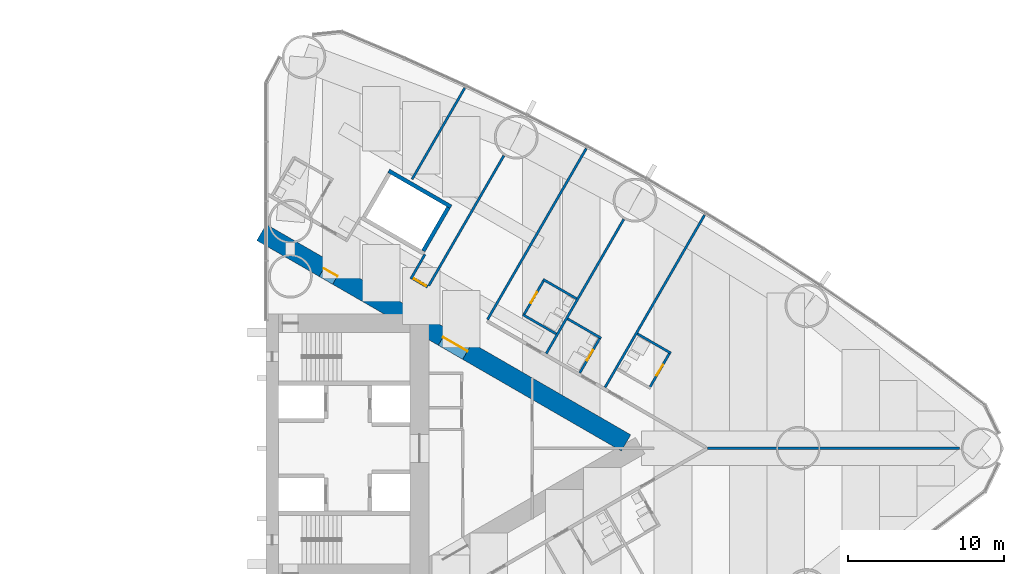
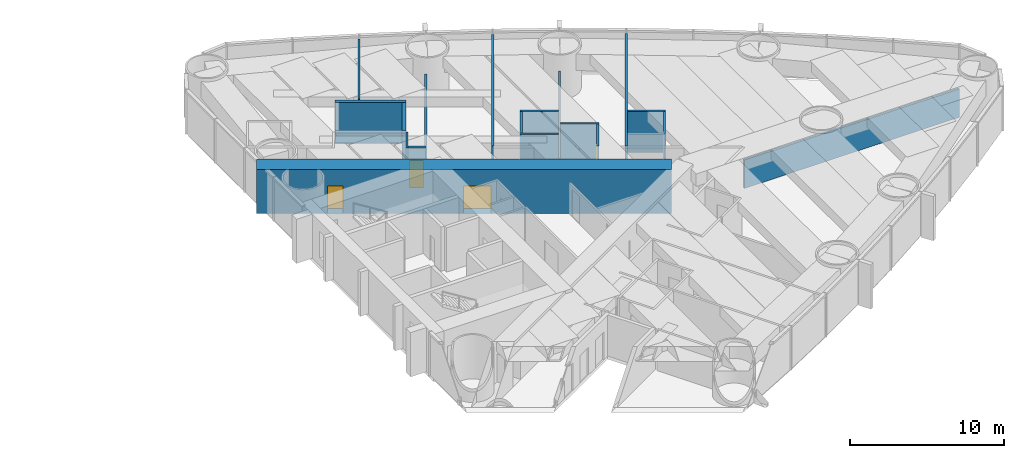
# One storey, part 16 of 19: 18 walls, 6 doors, 6 openings.
"""IFC4 building model written with IfcOpenShell, lengths in metres."""

from ifc_helpers import new_model, si_unit, direction, frame, frame_2d, origin, place, context, subcontext, project, spatial, rectangle, extrude, material, layer, layer_set, type_object, element, fill, save


model = new_model("IFC4")

# Units and contexts
model_context = context("Model", 3, precision=1e-05, world=origin(), true_north=direction((0.0, 1.0)))
body_context = subcontext(model_context, "Body", "Model", "MODEL_VIEW")
ifc_project = project(units=[si_unit("LENGTHUNIT", "METRE"), si_unit("AREAUNIT", "SQUARE_METRE"), si_unit("VOLUMEUNIT", "CUBIC_METRE"), si_unit("PLANEANGLEUNIT", "RADIAN"), si_unit("MASSUNIT", "GRAM", prefix="KILO")], contexts=[model_context])

# Site, building, storey
site_placement = place(None, origin())
site = spatial("IfcSite", under=ifc_project, at=site_placement, CompositionType="ELEMENT")
building_placement = place(site_placement, origin())
building = spatial("IfcBuilding", under=site, at=building_placement, Name="Lancet Gate Hotel", CompositionType="ELEMENT")
storey_placement = place(building_placement, frame((0.0, 0.0, 28.5)))
storey = spatial("IfcBuildingStorey", under=building, at=storey_placement, Name="L06", CompositionType="ELEMENT", Elevation=28.5)

# Wall
ifc_material_1 = material(Name="Moisture resistant board partition")
ifc_layer_1 = layer(ifc_material_1, 0.14990234375)
ifc_layer_set_1 = layer_set([ifc_layer_1], Name="Bathroom wall 150")
wall_type_1 = type_object("IfcWallType", Name="Bathroom wall 150", PredefinedType="PARTITIONING", material=ifc_layer_set_1)
wall_1_placement = place(storey_placement, frame((51.224365234375, 7.319580078125, 0.0), z_axis=(0.0, 0.0, 1.0), x_axis=(0.866031185235, -0.4999899861, 0.0)))
element("IfcWall", 1, at=wall_1_placement, inside=storey, type_object=wall_type_1, Name="T2 bathroom wall 150 L06", PredefinedType="PARTITIONING", context=body_context, shape_type="SweptSolid", body=[
    extrude(rectangle(XDim=2.47509765625, YDim=0.14990234375, at=frame_2d((1.237548828125, 0.0))), origin(), (0.0, 0.0, 1.0), 3.25),
])

# Wall, opening, door
wall_2_placement = place(storey_placement, frame((52.0029296875, 3.867919921875, 0.0), z_axis=(0.0, 0.0, 1.0), x_axis=(0.500047596559, 0.865997922154, 0.0)))
wall_2 = element("IfcWall", 2, at=wall_2_placement, inside=storey, type_object=wall_type_1, Name="T2 bathroom wall 150 L06", PredefinedType="PARTITIONING", context=body_context, shape_type="SweptSolid", body=[
    extrude(rectangle(XDim=2.599853515625, YDim=0.14990234375, at=frame_2d((1.2998046875, 0.0))), origin(), (0.0, 0.0, 1.0), 3.25),
])
opening_1_placement = place(wall_2_placement, frame((0.89990234375, 0.0, 0.0)))
opening_1 = element("IfcOpeningElement", 3, at=opening_1_placement, cuts=wall_2, Name="Opening 0658-B", PredefinedType="OPENING", context=body_context, shape_type="SweptSolid", body=[
    extrude(rectangle(XDim=0.800048828125, YDim=2.199951171875, at=frame_2d((0.39990234375, 1.10009765625))), frame((0.0, 0.0849609375, 0.0), z_axis=(0.0, -1.0, 0.0), x_axis=(1.0, 0.0, 0.0)), (0.0, 0.0, 1.0), 0.169921875),
])
ifc_material_2 = material(Name="Timber door set", Category="wood")
door_type_1 = type_object("IfcDoorType", Name="Bathroom door 800", OperationType="SINGLE_SWING_RIGHT", PredefinedType="DOOR", material=ifc_material_2)
door_1_placement = place(opening_1_placement, origin())
door_1 = element("IfcDoor", 4, at=door_1_placement, inside=storey, type_object=door_type_1, Name="0658-B", OperationType="SINGLE_SWING_RIGHT", OverallHeight=2.199951171875, OverallWidth=0.800048828125, PredefinedType="DOOR", context=body_context, shape_type="SweptSolid", body=[
    extrude(rectangle(XDim=0.800048828125, YDim=2.199951171875, at=frame_2d((0.39990234375, 1.10009765625))), frame((0.0, 0.02490234375, 0.0), z_axis=(0.0, -1.0, 0.0), x_axis=(1.0, 0.0, 0.0)), (0.0, 0.0, 1.0), 0.050048828125),
])
fill(opening_1, door_1)

# Wall
wall_3_placement = place(storey_placement, frame((46.767822265625, 8.27587890625, 0.0), z_axis=(0.0, 0.0, 1.0), x_axis=(0.866031185235, -0.4999899861, 0.0)))
element("IfcWall", 5, at=wall_3_placement, inside=storey, type_object=wall_type_1, Name="T2 bathroom wall 150 L06", PredefinedType="PARTITIONING", context=body_context, shape_type="SweptSolid", body=[
    extrude(rectangle(XDim=2.47509765625, YDim=0.14990234375, at=frame_2d((1.237548828125, 0.0))), origin(), (0.0, 0.0, 1.0), 3.25),
])

# Wall, opening, door
wall_4_placement = place(storey_placement, frame((47.54638671875, 4.82421875, 0.0), z_axis=(0.0, 0.0, 1.0), x_axis=(0.500006934395, 0.866021400173, 0.0)))
wall_4 = element("IfcWall", 6, at=wall_4_placement, inside=storey, type_object=wall_type_1, Name="T2 bathroom wall 150 L06", PredefinedType="PARTITIONING", context=body_context, shape_type="SweptSolid", body=[
    extrude(rectangle(XDim=2.60009765625, YDim=0.14990234375, at=frame_2d((1.300048828125, 0.0))), origin(), (0.0, 0.0, 1.0), 3.25),
])
opening_2_placement = place(wall_4_placement, frame((0.89990234375, 0.0, 0.0)))
opening_2 = element("IfcOpeningElement", 7, at=opening_2_placement, cuts=wall_4, Name="Opening 0660-B", PredefinedType="OPENING", context=body_context, shape_type="SweptSolid", body=[
    extrude(rectangle(XDim=0.800048828125, YDim=2.199951171875, at=frame_2d((0.39990234375, 1.10009765625))), frame((0.0, 0.0849609375, 0.0), z_axis=(0.0, -1.0, 0.0), x_axis=(1.0, 0.0, 0.0)), (0.0, 0.0, 1.0), 0.169921875),
])
door_2_placement = place(opening_2_placement, origin())
door_2 = element("IfcDoor", 8, at=door_2_placement, inside=storey, type_object=door_type_1, Name="0660-B", OperationType="SINGLE_SWING_RIGHT", OverallHeight=2.199951171875, OverallWidth=0.800048828125, PredefinedType="DOOR", context=body_context, shape_type="SweptSolid", body=[
    extrude(rectangle(XDim=0.800048828125, YDim=2.199951171875, at=frame_2d((0.39990234375, 1.10009765625))), frame((0.0, 0.02490234375, 0.0), z_axis=(0.0, -1.0, 0.0), x_axis=(1.0, 0.0, 0.0)), (0.0, 0.0, 1.0), 0.050048828125),
])
fill(opening_2, door_2)

# Wall
wall_5_placement = place(storey_placement, frame((45.194580078125, 10.80078125, 0.0), z_axis=(0.0, 0.0, 1.0), x_axis=(0.86604923931, -0.499958713387, 0.0)))
element("IfcWall", 9, at=wall_5_placement, inside=storey, type_object=wall_type_1, Name="T2 bathroom wall 150 L06", PredefinedType="PARTITIONING", context=body_context, shape_type="SweptSolid", body=[
    extrude(rectangle(XDim=2.474853515625, YDim=0.14990234375, at=frame_2d((1.2373046875, 0.0))), origin(), (0.0, 0.0, 1.0), 3.25),
])

# Wall, opening, door
wall_6_placement = place(storey_placement, frame((43.95947265625, 8.51171875, 0.0), z_axis=(0.0, 0.0, 1.0), x_axis=(0.500006934395, 0.866021400173, 0.0)))
wall_6 = element("IfcWall", 10, at=wall_6_placement, inside=storey, type_object=wall_type_1, Name="T2 bathroom wall 150 L06", PredefinedType="PARTITIONING", context=body_context, shape_type="SweptSolid", body=[
    extrude(rectangle(XDim=2.60009765625, YDim=0.14990234375, at=frame_2d((1.300048828125, 0.0))), origin(), (0.0, 0.0, 1.0), 3.25),
])
opening_3_placement = place(wall_6_placement, frame((0.89990234375, 0.0, 0.0)))
opening_3 = element("IfcOpeningElement", 11, at=opening_3_placement, cuts=wall_6, Name="Opening 0661-B", PredefinedType="OPENING", context=body_context, shape_type="SweptSolid", body=[
    extrude(rectangle(XDim=0.800048828125, YDim=2.199951171875, at=frame_2d((0.39990234375, 1.10009765625))), frame((0.0, 0.0849609375, 0.0), z_axis=(0.0, -1.0, 0.0), x_axis=(1.0, 0.0, 0.0)), (0.0, 0.0, 1.0), 0.169921875),
])
door_3_placement = place(opening_3_placement, origin())
door_3 = element("IfcDoor", 12, at=door_3_placement, inside=storey, type_object=door_type_1, Name="0661-B", OperationType="SINGLE_SWING_RIGHT", OverallHeight=2.199951171875, OverallWidth=0.800048828125, PredefinedType="DOOR", context=body_context, shape_type="SweptSolid", body=[
    extrude(rectangle(XDim=0.800048828125, YDim=2.199951171875, at=frame_2d((0.39990234375, 1.10009765625))), frame((0.0, 0.02490234375, 0.0), z_axis=(0.0, -1.0, 0.0), x_axis=(1.0, 0.0, 0.0)), (0.0, 0.0, 1.0), 0.050048828125),
])
fill(opening_3, door_3)

# Wall
wall_7_placement = place(storey_placement, frame((43.89453125, 8.54931640625, 0.0), z_axis=(0.0, 0.0, 1.0), x_axis=(0.866031185235, -0.4999899861, 0.0)))
element("IfcWall", 13, at=wall_7_placement, inside=storey, type_object=wall_type_1, Name="T2 bathroom wall 150 L06", PredefinedType="PARTITIONING", context=body_context, shape_type="SweptSolid", body=[
    extrude(rectangle(XDim=2.47509765625, YDim=0.14990234375, at=frame_2d((1.237548828125, 0.0))), origin(), (0.0, 0.0, 1.0), 3.25),
])

# Wall, openings, doors
ifc_material_3 = material(Name="Concrete C70/85", Category="concrete")
ifc_layer_2 = layer(ifc_material_3, 1.199951171875)
ifc_layer_set_2 = layer_set([ifc_layer_2], Name="Buttress wall 1200")
wall_type_2 = type_object("IfcWallType", Name="Buttress wall 1200", PredefinedType="SHEAR", material=ifc_layer_set_2)
wall_8_placement = place(storey_placement, frame((27.199951171875, 13.800048828125, 0.0), z_axis=(0.0, 0.0, 1.0), x_axis=(0.866024515034, -0.500001539357, 0.0)))
wall_8 = element("IfcWall", 14, at=wall_8_placement, inside=storey, type_object=wall_type_2, Name="T2 buttress wall N L06", PredefinedType="SHEAR", context=body_context, shape_type="SweptSolid", body=[
    extrude(rectangle(XDim=26.9072265625, YDim=1.199951171875, at=frame_2d((13.45361328125, 0.0))), origin(), (0.0, 0.0, 1.0), 3.5),
])
opening_4_placement = place(wall_8_placement, frame((4.60009765625, 0.0, 0.0)))
opening_4 = element("IfcOpeningElement", 15, at=opening_4_placement, cuts=wall_8, Name="Opening T2-L06-LN", PredefinedType="OPENING", context=body_context, shape_type="SweptSolid", body=[
    extrude(rectangle(XDim=1.0, YDim=2.199951171875, at=frame_2d((0.5, 1.10009765625))), frame((0.0, 0.60986328125, 0.0), z_axis=(0.0, -1.0, 0.0), x_axis=(1.0, 0.0, 0.0)), (0.0, 0.0, 1.0), 1.219970703125),
])
opening_5_placement = place(wall_8_placement, frame((13.39453125, 0.0, 0.0)))
opening_5 = element("IfcOpeningElement", 16, at=opening_5_placement, cuts=wall_8, Name="Opening T2-L06-LHN", PredefinedType="OPENING", context=body_context, shape_type="SweptSolid", body=[
    extrude(rectangle(XDim=1.800048828125, YDim=2.199951171875, at=frame_2d((0.89990234375, 1.10009765625))), frame((0.0, 0.60986328125, 0.0), z_axis=(0.0, -1.0, 0.0), x_axis=(1.0, 0.0, 0.0)), (0.0, 0.0, 1.0), 1.219970703125),
])
ifc_material_4 = material(Name="Timber door set", Category="wood")
door_type_2 = type_object("IfcDoorType", Name="Lobby double door 1800", OperationType="DOUBLE_DOOR_SINGLE_SWING", PredefinedType="DOOR", material=ifc_material_4)
door_4_placement = place(opening_5_placement, origin())
door_4 = element("IfcDoor", 17, at=door_4_placement, inside=storey, type_object=door_type_2, Name="T2-L06-LHN", OperationType="DOUBLE_DOOR_SINGLE_SWING", OverallHeight=2.199951171875, OverallWidth=1.800048828125, PredefinedType="DOOR", context=body_context, shape_type="SweptSolid", body=[
    extrude(rectangle(XDim=1.800048828125, YDim=2.199951171875, at=frame_2d((0.89990234375, 1.10009765625))), frame((0.0, 0.02490234375, 0.0), z_axis=(0.0, -1.0, 0.0), x_axis=(1.0, 0.0, 0.0)), (0.0, 0.0, 1.0), 0.050048828125),
])
fill(opening_5, door_4)
ifc_material_5 = material(Name="Timber door set", Category="wood")
door_type_3 = type_object("IfcDoorType", Name="Stair lobby door 1000", OperationType="SINGLE_SWING_LEFT", PredefinedType="DOOR", material=ifc_material_5)
door_5_placement = place(opening_4_placement, origin())
door_5 = element("IfcDoor", 18, at=door_5_placement, inside=storey, type_object=door_type_3, Name="T2-L06-LN", OperationType="SINGLE_SWING_LEFT", OverallHeight=2.199951171875, OverallWidth=1.0, PredefinedType="DOOR", context=body_context, shape_type="SweptSolid", body=[
    extrude(rectangle(XDim=1.0, YDim=2.199951171875, at=frame_2d((0.5, 1.10009765625))), frame((0.0, 0.02490234375, 0.0), z_axis=(0.0, -1.0, 0.0), x_axis=(1.0, 0.0, 0.0)), (0.0, 0.0, 1.0), 0.050048828125),
])
fill(opening_4, door_5)

# Wall, opening, door
ifc_material_6 = material(Name="Gypsum board partition")
ifc_layer_3 = layer(ifc_material_6, 0.199951171875)
ifc_layer_set_3 = layer_set([ifc_layer_3], Name="Corridor wall 200")
wall_type_3 = type_object("IfcWallType", Name="Corridor wall 200", PredefinedType="PARTITIONING", material=ifc_layer_set_3)
wall_9_placement = place(storey_placement, frame((36.833984375, 10.8935546875, 0.0), z_axis=(0.0, 0.0, 1.0), x_axis=(0.866025463095, -0.499999897272, 0.0)))
wall_9 = element("IfcWall", 19, at=wall_9_placement, inside=storey, type_object=wall_type_3, Name="T2 corridor wall 200 L06", PredefinedType="PARTITIONING", context=body_context, shape_type="SweptSolid", body=[
    extrude(rectangle(XDim=1.142578125, YDim=0.199951171875, at=frame_2d((0.5712890625, 0.0))), origin(), (0.0, 0.0, 1.0), 3.25),
])
opening_6_placement = place(wall_9_placement, frame((0.121337890625, 0.0, 0.0)))
opening_6 = element("IfcOpeningElement", 20, at=opening_6_placement, cuts=wall_9, Name="Opening T2-L06-LO2", PredefinedType="OPENING", context=body_context, shape_type="SweptSolid", body=[
    extrude(rectangle(XDim=0.89990234375, YDim=2.199951171875, at=frame_2d((0.449951171875, 1.10009765625))), frame((0.0, 0.10986328125, 0.0), z_axis=(0.0, -1.0, 0.0), x_axis=(1.0, 0.0, 0.0)), (0.0, 0.0, 1.0), 0.219970703125),
])
ifc_material_7 = material(Name="Timber door set", Category="wood")
door_type_4 = type_object("IfcDoorType", Name="Guest room entry door 950", OperationType="SINGLE_SWING_LEFT", PredefinedType="DOOR", material=ifc_material_7)
door_6_placement = place(opening_6_placement, origin())
door_6 = element("IfcDoor", 21, at=door_6_placement, inside=storey, type_object=door_type_4, Name="T2-L06-LO2", OperationType="SINGLE_SWING_LEFT", OverallHeight=2.199951171875, OverallWidth=0.89990234375, PredefinedType="DOOR", context=body_context, shape_type="SweptSolid", body=[
    extrude(rectangle(XDim=0.89990234375, YDim=2.199951171875, at=frame_2d((0.449951171875, 1.10009765625))), frame((0.0, 0.02490234375, 0.0), z_axis=(0.0, -1.0, 0.0), x_axis=(1.0, 0.0, 0.0)), (0.0, 0.0, 1.0), 0.050048828125),
])
fill(opening_6, door_6)

# Walls
ifc_material_8 = material(Name="Gypsum board partition")
ifc_layer_4 = layer(ifc_material_8, 0.25)
ifc_layer_set_4 = layer_set([ifc_layer_4], Name="Lift shaft partition 250")
wall_type_4 = type_object("IfcWallType", Name="Lift shaft partition 250", PredefinedType="PARTITIONING", material=ifc_layer_set_4)
wall_10_placement = place(storey_placement, frame((35.33349609375, 17.73583984375, 0.0), z_axis=(0.0, 0.0, 1.0), x_axis=(0.866043305498, -0.49996899204, 0.0)))
element("IfcWall", 22, at=wall_10_placement, inside=storey, type_object=wall_type_4, Name="T2 lift shaft wall EX L06", PredefinedType="PARTITIONING", context=body_context, shape_type="SweptSolid", body=[
    extrude(rectangle(XDim=4.600341796875, YDim=0.25, at=frame_2d((2.30029296875, 0.0))), origin(), (0.0, 0.0, 1.0), 3.25),
])
wall_11_placement = place(storey_placement, frame((37.546630859375, 12.617919921875, 0.0), z_axis=(0.0, 0.0, 1.0), x_axis=(0.499929347863, 0.866066190972, 0.0)))
element("IfcWall", 23, at=wall_11_placement, inside=storey, type_object=wall_type_4, Name="T2 lift shaft wall EX L06", PredefinedType="PARTITIONING", context=body_context, shape_type="SweptSolid", body=[
    extrude(rectangle(XDim=3.20068359375, YDim=0.25, at=frame_2d((1.600341796875, 0.0))), origin(), (0.0, 0.0, 1.0), 3.25),
])
ifc_material_9 = material(Name="Gypsum board partition")
ifc_layer_5 = layer(ifc_material_9, 0.14990234375)
ifc_layer_set_5 = layer_set([ifc_layer_5], Name="Party wall 150")
wall_type_5 = type_object("IfcWallType", Name="Party wall 150", PredefinedType="PARTITIONING", material=ifc_layer_set_5)
wall_12_placement = place(storey_placement, frame((37.895263671875, 10.396484375, 0.0), z_axis=(0.0, 0.0, 1.0), x_axis=(0.499995616528, 0.866027934568, 0.0)))
element("IfcWall", 24, at=wall_12_placement, inside=storey, type_object=wall_type_5, Name="T2 party wall 150 L06", PredefinedType="PARTITIONING", context=body_context, shape_type="SweptSolid", body=[
    extrude(rectangle(XDim=9.59326171875, YDim=0.14990234375, at=frame_2d((4.796630859375, 0.0))), origin(), (0.0, 0.0, 1.0), 2.25),
])
wall_13_placement = place(storey_placement, frame((41.6474609375, 8.22998046875, 0.0), z_axis=(0.0, 0.0, 1.0), x_axis=(0.49998590462, 0.866033541603, 0.0)))
element("IfcWall", 25, at=wall_13_placement, inside=storey, type_object=wall_type_5, Name="T2 party wall 150 L06", PredefinedType="PARTITIONING", context=body_context, shape_type="SweptSolid", body=[
    extrude(rectangle(XDim=12.620849609375, YDim=0.14990234375, at=frame_2d((6.310546875, 0.0))), origin(), (0.0, 0.0, 1.0), 3.25),
])
wall_14_placement = place(storey_placement, frame((45.40283203125, 6.061767578125, 0.0), z_axis=(0.0, 0.0, 1.0), x_axis=(0.500013434677, 0.866017647131, 0.0)))
element("IfcWall", 26, at=wall_14_placement, inside=storey, type_object=wall_type_5, Name="T2 party wall 150 L06", PredefinedType="PARTITIONING", context=body_context, shape_type="SweptSolid", body=[
    extrude(rectangle(XDim=9.901611328125, YDim=0.14990234375, at=frame_2d((4.95068359375, 0.0))), origin(), (0.0, 0.0, 1.0), 2.25),
])
wall_15_placement = place(storey_placement, frame((49.159423828125, 3.892822265625, 0.0), z_axis=(0.0, 0.0, 1.0), x_axis=(0.499995664361, 0.866027906952, 0.0)))
element("IfcWall", 27, at=wall_15_placement, inside=storey, type_object=wall_type_5, Name="T2 party wall 150 L06", PredefinedType="PARTITIONING", context=body_context, shape_type="SweptSolid", body=[
    extrude(rectangle(XDim=12.71142578125, YDim=0.14990234375, at=frame_2d((6.355712890625, 0.0))), origin(), (0.0, 0.0, 1.0), 3.25),
])
wall_16_placement = place(storey_placement, frame((55.7021484375, 0.0, 0.0), z_axis=(0.0, 0.0, 1.0), x_axis=(1.0, 0.0, 0.0)))
element("IfcWall", 28, at=wall_16_placement, inside=storey, type_object=wall_type_5, Name="T2 party wall 150 L06", PredefinedType="PARTITIONING", context=body_context, shape_type="SweptSolid", body=[
    extrude(rectangle(XDim=16.116943359375, YDim=0.14990234375, at=frame_2d((8.05859375, 0.0))), origin(), (0.0, 0.0, 1.0), 2.25),
])
wall_17_placement = place(storey_placement, frame((36.823974609375, 17.19287109375, 0.0), z_axis=(0.0, 0.0, 1.0), x_axis=(0.500027691974, 0.866009415226, 0.0)))
element("IfcWall", 29, at=wall_17_placement, inside=storey, type_object=wall_type_5, Name="T2 party wall 150 L06", PredefinedType="PARTITIONING", context=body_context, shape_type="SweptSolid", body=[
    extrude(rectangle(XDim=6.73876953125, YDim=0.14990234375, at=frame_2d((3.369384765625, 0.0))), origin(), (0.0, 0.0, 1.0), 3.25),
])
ifc_material_10 = material(Name="Gypsum board partition")
ifc_layer_6 = layer(ifc_material_10, 0.14990234375)
ifc_layer_set_6 = layer_set([ifc_layer_6], Name="Service room wall 150")
wall_type_6 = type_object("IfcWallType", Name="Service room wall 150", PredefinedType="PARTITIONING", material=ifc_layer_set_6)
wall_18_placement = place(storey_placement, frame((36.7451171875, 10.829345703125, 0.0), z_axis=(0.0, 0.0, 1.0), x_axis=(0.499921502396, 0.866070719654, 0.0)))
element("IfcWall", 30, at=wall_18_placement, inside=storey, type_object=wall_type_6, Name="T2 service room wall 150 L06", PredefinedType="PARTITIONING", context=body_context, shape_type="SweptSolid", body=[
    extrude(rectangle(XDim=1.804931640625, YDim=0.14990234375, at=frame_2d((0.90234375, 0.0))), origin(), (0.0, 0.0, 1.0), 3.25),
])

save(model, "model.ifc")
